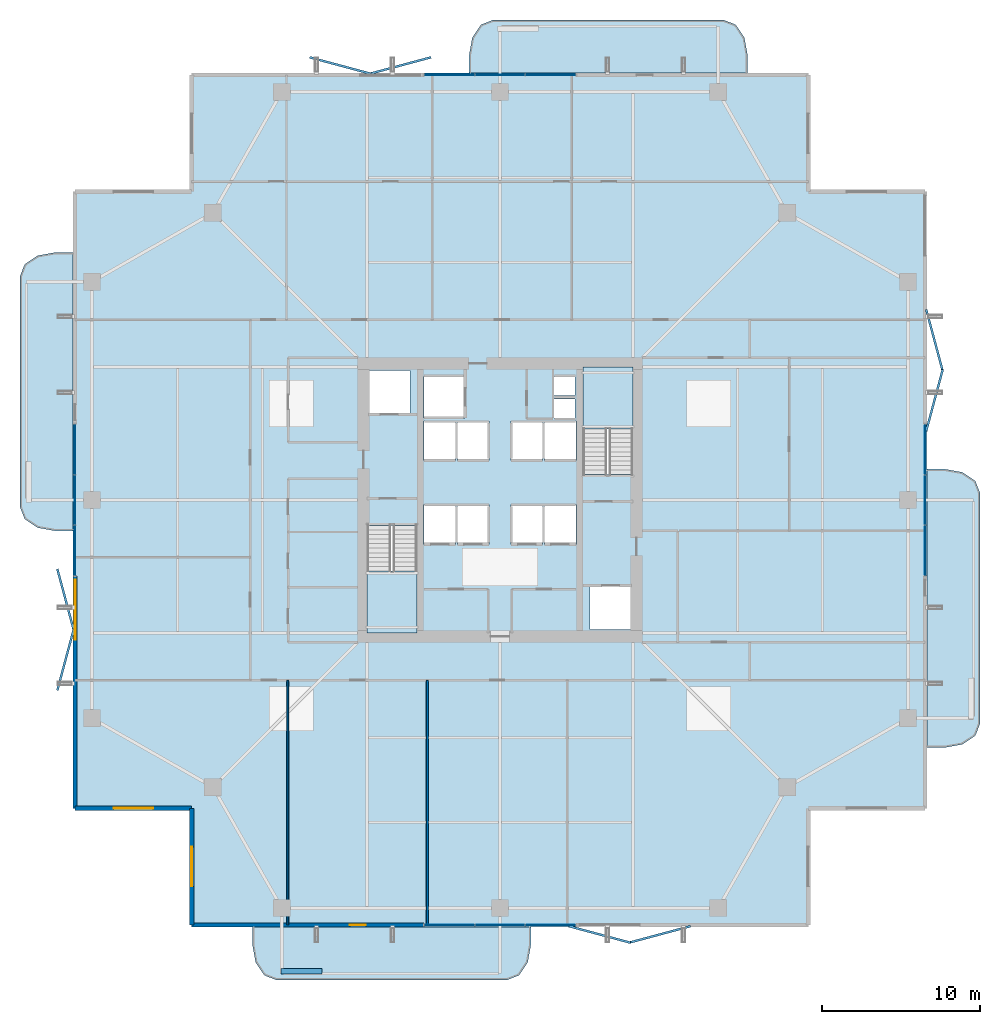
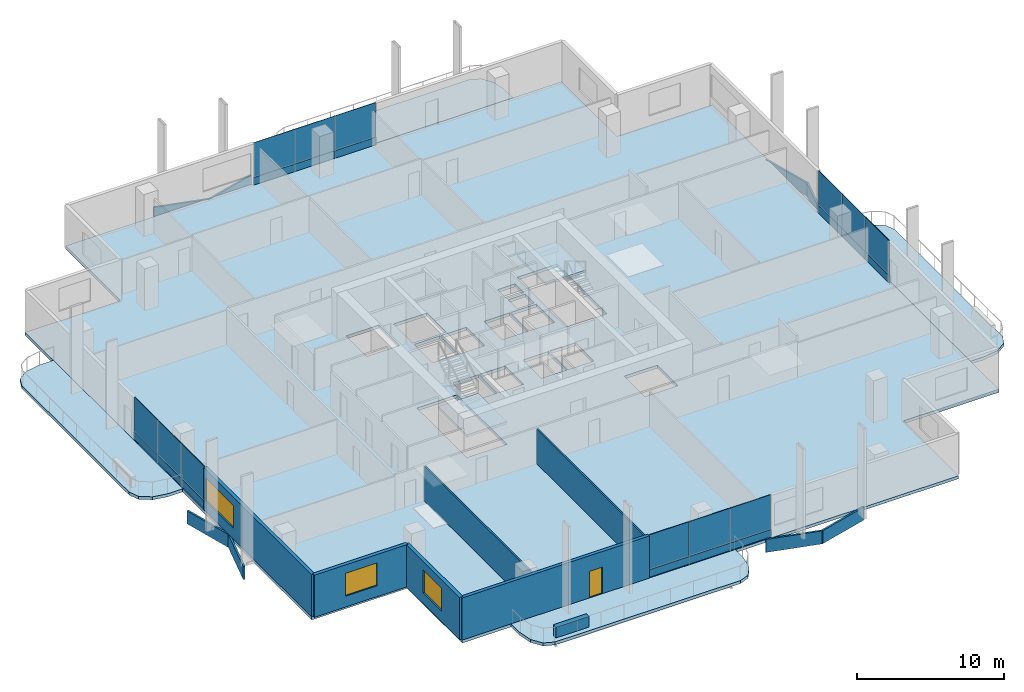
# One storey, part 16 of 24: 32 plates, 7 slabs, 7 walls, 3 windows, 1 door, 4 openings, 6 elements without a shape of their own.
"""IFC4 building model written with IfcOpenShell, lengths in metres."""

from ifc_helpers import new_model, si_unit, direction, frame, frame_2d, origin, origin_2d, place, context, subcontext, project, spatial, polyline, rectangle, outline, extrude, material, layer, layer_set, type_object, element, fill, aggregate, save


model = new_model("IFC4")

# Units and contexts
model_context = context("Model", 3, precision=1e-05, world=origin(), true_north=direction((0.0, 1.0)))
body_context = subcontext(model_context, "Body", "Model", "MODEL_VIEW")
ifc_project = project(units=[si_unit("LENGTHUNIT", "METRE"), si_unit("AREAUNIT", "SQUARE_METRE"), si_unit("VOLUMEUNIT", "CUBIC_METRE"), si_unit("PLANEANGLEUNIT", "RADIAN"), si_unit("MASSUNIT", "GRAM", prefix="KILO")], contexts=[model_context])

# Site, building, storey
site_placement = place(None, origin())
site = spatial("IfcSite", under=ifc_project, at=site_placement, CompositionType="ELEMENT")
building_placement = place(site_placement, origin())
building = spatial("IfcBuilding", under=site, at=building_placement, Name="Belovzor Exchange Tower", CompositionType="ELEMENT")
storey_placement = place(building_placement, frame((0.0, 0.0, 218.699951171875)))
storey = spatial("IfcBuildingStorey", under=building, at=storey_placement, Name="L54", CompositionType="ELEMENT", Elevation=218.699951171875)

# Slab
ifc_material_1 = material(Name="Concrete C40/50", Category="concrete")
ifc_layer_1 = layer(ifc_material_1, 0.25)
ifc_layer_set_1 = layer_set([ifc_layer_1], Name="Concrete C40/50")
slab_type_1 = type_object("IfcSlabType", Name="Composite Concrete Floor Deck Slab 250", PredefinedType="FLOOR", material=ifc_layer_set_1)
slab_1_placement = place(storey_placement, frame((0.0, 0.0, -0.25)))
element("IfcSlab", 1, at=slab_1_placement, inside=storey, type_object=slab_type_1, Name="SL-F250 Structural Slab L54", PredefinedType="FLOOR", context=body_context, shape_type="SweptSolid", body=[
    extrude(outline(polyline([(9.300048828125, 1.800048828125), (48.300048828125, 1.800048828125), (48.300048828125, 9.300048828125), (55.800048828125, 9.300048828125), (55.800048828125, 48.300048828125), (48.300048828125, 48.300048828125), (48.300048828125, 55.800048828125), (9.300048828125, 55.800048828125), (9.300048828125, 48.300048828125), (1.800048828125, 48.300048828125), (1.800048828125, 9.300048828125), (9.300048828125, 9.300048828125), (9.300048828125, 1.800048828125)]), holes=[polyline([(20.39990234375, 27.175048828125), (20.39990234375, 20.39990234375), (23.550048828125, 20.39990234375), (23.550048828125, 27.175048828125), (20.39990234375, 27.175048828125)]), polyline([(37.199951171875, 30.425048828125), (37.199951171875, 37.199951171875), (34.050048828125, 37.199951171875), (34.050048828125, 30.425048828125), (37.199951171875, 30.425048828125)]), polyline([(20.5, 34.199951171875), (23.10009765625, 34.199951171875), (23.10009765625, 37.0), (20.5, 37.0), (20.5, 34.199951171875)]), polyline([(34.5, 20.60009765625), (37.10009765625, 20.60009765625), (37.10009765625, 23.39990234375), (34.5, 23.39990234375), (34.5, 20.60009765625)]), polyline([(24.0, 34.0), (26.60009765625, 34.0), (26.60009765625, 36.60009765625), (24.0, 36.60009765625), (24.0, 34.0)]), polyline([(24.0, 26.0), (26.0, 26.0), (26.0, 28.5), (24.0, 28.5), (24.0, 26.0)]), polyline([(26.10009765625, 26.0), (28.10009765625, 26.0), (28.10009765625, 28.5), (26.10009765625, 28.5), (26.10009765625, 26.0)]), polyline([(29.5, 26.0), (31.5, 26.0), (31.5, 28.5), (29.5, 28.5), (29.5, 26.0)]), polyline([(31.60009765625, 26.0), (33.60009765625, 26.0), (33.60009765625, 28.5), (31.60009765625, 28.5), (31.60009765625, 26.0)]), polyline([(24.0, 31.300048828125), (26.0, 31.300048828125), (26.0, 33.800048828125), (24.0, 33.800048828125), (24.0, 31.300048828125)]), polyline([(26.10009765625, 31.300048828125), (28.10009765625, 31.300048828125), (28.10009765625, 33.800048828125), (26.10009765625, 33.800048828125), (26.10009765625, 31.300048828125)]), polyline([(29.5, 31.300048828125), (31.5, 31.300048828125), (31.5, 33.800048828125), (29.5, 33.800048828125), (29.5, 31.300048828125)]), polyline([(31.60009765625, 31.300048828125), (33.60009765625, 31.300048828125), (33.60009765625, 33.800048828125), (31.60009765625, 33.800048828125), (31.60009765625, 31.300048828125)]), polyline([(32.199951171875, 34.0), (33.550048828125, 34.0), (33.550048828125, 35.199951171875), (32.199951171875, 35.199951171875), (32.199951171875, 34.0)]), polyline([(32.199951171875, 35.39990234375), (33.550048828125, 35.39990234375), (33.550048828125, 36.60009765625), (32.199951171875, 36.60009765625), (32.199951171875, 35.39990234375)])]), origin(), (0.0, 0.0, 1.0), 0.25),
])

# Curtain wall, plates
ifc_material_2 = material(Name="Anodised Aluminium Framing", Category="aluminium")
ifc_layer_2 = layer(ifc_material_2, 0.179931640625)
ifc_layer_set_2 = layer_set([ifc_layer_2], Name="Anodised Aluminium Framing")
curtain_wall_type = type_object("IfcCurtainWallType", Name="Recessed Loggia Low-Iron Triple-Glazed Curtain Wall", PredefinedType="NOTDEFINED", material=ifc_layer_set_2)
curtain_wall_1_placement = place(storey_placement, origin())
curtain_wall_1 = element("IfcCurtainWall", 2, at=curtain_wall_1_placement, inside=storey, type_object=curtain_wall_type, Name="CW3 Recessed Loggia Low-Iron Triple-Glazed Curtain Wall L54", PredefinedType="NOTDEFINED")
ifc_material_3 = material(Name="Solar-Control Triple Glazing", Category="glass")
ifc_layer_3 = layer(ifc_material_3, 0.0439453125)
ifc_layer_set_3 = layer_set([ifc_layer_3], Name="Solar-Control Triple Glazing")
plate_type_1 = type_object("IfcPlateType", Name="Insulated Solar Glazing Curtain Panel 44", PredefinedType="CURTAIN_PANEL", material=ifc_layer_set_3)
plate_1_placement = place(storey_placement, frame((32.0, 1.929931640625, 0.63232421875), z_axis=(0.0, 0.0, 1.0), x_axis=(-1.0, 0.0, 0.0)))
plate_1 = element("IfcPlate", 3, at=plate_1_placement, type_object=plate_type_1, Name="GLZ-44 Glazed Curtain Panel 1", PredefinedType="CURTAIN_PANEL", context=body_context, shape_type="SweptSolid", body=[
    extrude(rectangle(XDim=3.18408203125, YDim=0.0439453125, at=origin_2d()), origin(), (0.0, 0.0, 1.0), 2.867919921875),
])
plate_2_placement = place(storey_placement, frame((28.800048828125, 1.929931640625, 0.63232421875), z_axis=(0.0, 0.0, 1.0), x_axis=(-1.0, 0.0, 0.0)))
plate_2 = element("IfcPlate", 4, at=plate_2_placement, type_object=plate_type_1, Name="GLZ-44 Glazed Curtain Panel 2", PredefinedType="CURTAIN_PANEL", context=body_context, shape_type="SweptSolid", body=[
    extrude(rectangle(XDim=3.18408203125, YDim=0.0439453125, at=origin_2d()), origin(), (0.0, 0.0, 1.0), 2.867919921875),
])
plate_3_placement = place(storey_placement, frame((25.60009765625, 1.929931640625, 0.63232421875), z_axis=(0.0, 0.0, 1.0), x_axis=(-1.0, 0.0, 0.0)))
plate_3 = element("IfcPlate", 5, at=plate_3_placement, type_object=plate_type_1, Name="GLZ-44 Glazed Curtain Panel 3", PredefinedType="CURTAIN_PANEL", context=body_context, shape_type="SweptSolid", body=[
    extrude(rectangle(XDim=3.18408203125, YDim=0.0439453125, at=origin_2d()), origin(), (0.0, 0.0, 1.0), 2.867919921875),
])

curtain_wall_2_placement = place(storey_placement, origin())
curtain_wall_2 = element("IfcCurtainWall", 6, at=curtain_wall_2_placement, inside=storey, type_object=curtain_wall_type, Name="CW3 Recessed Loggia Low-Iron Triple-Glazed Curtain Wall L54", PredefinedType="NOTDEFINED")
plate_4_placement = place(storey_placement, frame((25.60009765625, 55.669921875, 0.63232421875), z_axis=(0.0, 0.0, 1.0), x_axis=(1.0, 0.0, 0.0)))
plate_4 = element("IfcPlate", 7, at=plate_4_placement, type_object=plate_type_1, Name="GLZ-44 Glazed Curtain Panel 1", PredefinedType="CURTAIN_PANEL", context=body_context, shape_type="SweptSolid", body=[
    extrude(rectangle(XDim=3.18408203125, YDim=0.0439453125, at=origin_2d()), origin(), (0.0, 0.0, 1.0), 2.867919921875),
])
plate_5_placement = place(storey_placement, frame((28.800048828125, 55.669921875, 0.63232421875), z_axis=(0.0, 0.0, 1.0), x_axis=(1.0, 0.0, 0.0)))
plate_5 = element("IfcPlate", 8, at=plate_5_placement, type_object=plate_type_1, Name="GLZ-44 Glazed Curtain Panel 2", PredefinedType="CURTAIN_PANEL", context=body_context, shape_type="SweptSolid", body=[
    extrude(rectangle(XDim=3.18408203125, YDim=0.0439453125, at=origin_2d()), origin(), (0.0, 0.0, 1.0), 2.867919921875),
])
plate_6_placement = place(storey_placement, frame((32.0, 55.669921875, 0.63232421875), z_axis=(0.0, 0.0, 1.0), x_axis=(1.0, 0.0, 0.0)))
plate_6 = element("IfcPlate", 9, at=plate_6_placement, type_object=plate_type_1, Name="GLZ-44 Glazed Curtain Panel 3", PredefinedType="CURTAIN_PANEL", context=body_context, shape_type="SweptSolid", body=[
    extrude(rectangle(XDim=3.18408203125, YDim=0.0439453125, at=origin_2d()), origin(), (0.0, 0.0, 1.0), 2.867919921875),
])

curtain_wall_3_placement = place(storey_placement, origin())
curtain_wall_3 = element("IfcCurtainWall", 10, at=curtain_wall_3_placement, inside=storey, type_object=curtain_wall_type, Name="CW3 Recessed Loggia Low-Iron Triple-Glazed Curtain Wall L54", PredefinedType="NOTDEFINED")
plate_7_placement = place(storey_placement, frame((1.929931640625, 25.60009765625, 0.63232421875), z_axis=(0.0, 0.0, 1.0), x_axis=(0.0, 1.0, 0.0)))
plate_7 = element("IfcPlate", 11, at=plate_7_placement, type_object=plate_type_1, Name="GLZ-44 Glazed Curtain Panel 1", PredefinedType="CURTAIN_PANEL", context=body_context, shape_type="SweptSolid", body=[
    extrude(rectangle(XDim=3.18408203125, YDim=0.0439453125, at=origin_2d()), origin(), (0.0, 0.0, 1.0), 2.867919921875),
])
plate_8_placement = place(storey_placement, frame((1.929931640625, 28.800048828125, 0.63232421875), z_axis=(0.0, 0.0, 1.0), x_axis=(0.0, 1.0, 0.0)))
plate_8 = element("IfcPlate", 12, at=plate_8_placement, type_object=plate_type_1, Name="GLZ-44 Glazed Curtain Panel 2", PredefinedType="CURTAIN_PANEL", context=body_context, shape_type="SweptSolid", body=[
    extrude(rectangle(XDim=3.18408203125, YDim=0.0439453125, at=origin_2d()), origin(), (0.0, 0.0, 1.0), 2.867919921875),
])
plate_9_placement = place(storey_placement, frame((1.929931640625, 32.0, 0.63232421875), z_axis=(0.0, 0.0, 1.0), x_axis=(0.0, 1.0, 0.0)))
plate_9 = element("IfcPlate", 13, at=plate_9_placement, type_object=plate_type_1, Name="GLZ-44 Glazed Curtain Panel 3", PredefinedType="CURTAIN_PANEL", context=body_context, shape_type="SweptSolid", body=[
    extrude(rectangle(XDim=3.18408203125, YDim=0.0439453125, at=origin_2d()), origin(), (0.0, 0.0, 1.0), 2.867919921875),
])

curtain_wall_4_placement = place(storey_placement, origin())
curtain_wall_4 = element("IfcCurtainWall", 14, at=curtain_wall_4_placement, inside=storey, type_object=curtain_wall_type, Name="CW3 Recessed Loggia Low-Iron Triple-Glazed Curtain Wall L54", PredefinedType="NOTDEFINED")
plate_10_placement = place(storey_placement, frame((55.669921875, 32.0, 0.63232421875), z_axis=(0.0, 0.0, 1.0), x_axis=(0.0, -1.0, 0.0)))
plate_10 = element("IfcPlate", 15, at=plate_10_placement, type_object=plate_type_1, Name="GLZ-44 Glazed Curtain Panel 1", PredefinedType="CURTAIN_PANEL", context=body_context, shape_type="SweptSolid", body=[
    extrude(rectangle(XDim=3.18408203125, YDim=0.0439453125, at=origin_2d()), origin(), (0.0, 0.0, 1.0), 2.867919921875),
])
plate_11_placement = place(storey_placement, frame((55.669921875, 28.800048828125, 0.63232421875), z_axis=(0.0, 0.0, 1.0), x_axis=(0.0, -1.0, 0.0)))
plate_11 = element("IfcPlate", 16, at=plate_11_placement, type_object=plate_type_1, Name="GLZ-44 Glazed Curtain Panel 2", PredefinedType="CURTAIN_PANEL", context=body_context, shape_type="SweptSolid", body=[
    extrude(rectangle(XDim=3.18408203125, YDim=0.0439453125, at=origin_2d()), origin(), (0.0, 0.0, 1.0), 2.867919921875),
])
plate_12_placement = place(storey_placement, frame((55.669921875, 25.60009765625, 0.63232421875), z_axis=(0.0, 0.0, 1.0), x_axis=(0.0, -1.0, 0.0)))
plate_12 = element("IfcPlate", 17, at=plate_12_placement, type_object=plate_type_1, Name="GLZ-44 Glazed Curtain Panel 3", PredefinedType="CURTAIN_PANEL", context=body_context, shape_type="SweptSolid", body=[
    extrude(rectangle(XDim=3.18408203125, YDim=0.0439453125, at=origin_2d()), origin(), (0.0, 0.0, 1.0), 2.867919921875),
])

# Plates
ifc_material_4 = material(Name="Extruded Architectural Terracotta", Category="masonry")
ifc_layer_4 = layer(ifc_material_4, 0.139892578125)
ifc_layer_set_4 = layer_set([ifc_layer_4], Name="Extruded Architectural Terracotta")
plate_type_2 = type_object("IfcPlateType", Name="Mid-Tower Folded Zigzag Terracotta Spandrel Louvre 120", PredefinedType="USERDEFINED", material=ifc_layer_set_4)
for number, where, z_axis, x_axis, name in (
    (18, (18.699951171875, 56.27001953125, -1.06494140625), (0.0, 0.0, 1.0), (0.965812803231, -0.259240485101, 0.0), "LVR-ZZ2 Zigzag Terracotta Spandrel Louvre L54 N1A"),
    (19, (22.5, 56.27001953125, -1.06494140625), (0.0, 0.0, 1.0), (0.965812803231, 0.259240485101, 0.0), "LVR-ZZ2 Zigzag Terracotta Spandrel Louvre L54 N1B"),
    (20, (1.330078125, 18.699951171875, -1.06494140625), (0.0, 0.0, 1.0), (0.259240485101, 0.965812803231, 0.0), "LVR-ZZ2 Zigzag Terracotta Spandrel Louvre L54 W1A"),
    (21, (1.330078125, 22.5, -1.06494140625), (0.0, 0.0, 1.0), (-0.259240485101, 0.965812803231, 0.0), "LVR-ZZ2 Zigzag Terracotta Spandrel Louvre L54 W1B"),
    (22, (35.10009765625, 1.330078125, -1.06494140625), (0.0, 0.0, 1.0), (0.965812803231, -0.259240485101, 0.0), "LVR-ZZ2 Zigzag Terracotta Spandrel Louvre L54 S2A"),
    (23, (38.89990234375, 1.330078125, -1.06494140625), (0.0, 0.0, 1.0), (0.965812803231, 0.259240485101, 0.0), "LVR-ZZ2 Zigzag Terracotta Spandrel Louvre L54 S2B"),
    (24, (56.27001953125, 35.10009765625, -1.06494140625), (0.0, 0.0, 1.0), (0.259240485101, 0.965812803231, 0.0), "LVR-ZZ2 Zigzag Terracotta Spandrel Louvre L54 E2A"),
    (25, (56.27001953125, 38.89990234375, -1.06494140625), (0.0, 0.0, 1.0), (-0.259240485101, 0.965812803231, 0.0), "LVR-ZZ2 Zigzag Terracotta Spandrel Louvre L54 E2B"),
):
    element("IfcPlate", number, at=place(storey_placement, frame(where, z_axis=z_axis, x_axis=x_axis)), inside=storey, type_object=plate_type_2, Name=name, ObjectType="SPANDREL_LOUVRE", PredefinedType="USERDEFINED", context=body_context, shape_type="SweptSolid", body=[
        extrude(rectangle(XDim=4.014892578125, YDim=0.139892578125, at=origin_2d()), origin(), (0.0, 0.0, 1.0), 1.080078125),
    ])

# Stair, slab
ifc_material_5 = material(Name="Concrete C40/50", Category="concrete")
stair_type = type_object("IfcStairType", Name="Reinforced Concrete Dogleg Escape Stair 1350", PredefinedType="HALF_TURN_STAIR", material=ifc_material_5)
stair_1_placement = place(storey_placement, origin())
stair_1 = element("IfcStair", 26, at=stair_1_placement, inside=storey, type_object=stair_type, Name="L54 ST-1", PredefinedType="HALF_TURN_STAIR")
ifc_material_6 = material(Name="Concrete C40/50", Category="concrete")
ifc_layer_5 = layer(ifc_material_6, 0.199951171875)
ifc_layer_set_5 = layer_set([ifc_layer_5], Name="Concrete C40/50")
slab_type_2 = type_object("IfcSlabType", Name="Reinforced Concrete Stair Half-Landing Slab 200", PredefinedType="LANDING", material=ifc_layer_set_5)
slab_2_placement = place(storey_placement, frame((0.0, 0.0, 1.675048828125)))
slab_2 = element("IfcSlab", 27, at=slab_2_placement, type_object=slab_type_2, Name="ST-1 landing 1", PredefinedType="LANDING", context=body_context, shape_type="SweptSolid", body=[
    extrude(outline(polyline([(20.39990234375, 24.300048828125), (20.39990234375, 20.39990234375), (23.550048828125, 20.39990234375), (23.550048828125, 24.300048828125), (20.39990234375, 24.300048828125)])), origin(), (0.0, 0.0, 1.0), 0.199951171875),
])
aggregate(stair_1, [slab_2])

stair_2_placement = place(storey_placement, origin())
stair_2 = element("IfcStair", 28, at=stair_2_placement, inside=storey, type_object=stair_type, Name="L54 ST-2", PredefinedType="HALF_TURN_STAIR")
slab_3_placement = place(storey_placement, frame((0.0, 0.0, 1.675048828125)))
slab_3 = element("IfcSlab", 29, at=slab_3_placement, type_object=slab_type_2, Name="ST-2 landing 1", PredefinedType="LANDING", context=body_context, shape_type="SweptSolid", body=[
    extrude(outline(polyline([(37.199951171875, 33.300048828125), (37.199951171875, 37.199951171875), (34.050048828125, 37.199951171875), (34.050048828125, 33.300048828125), (37.199951171875, 33.300048828125)])), origin(), (0.0, 0.0, 1.0), 0.199951171875),
])
aggregate(stair_2, [slab_3])

# Plate
ifc_material_7 = material(Name="Extruded Architectural Terracotta", Category="masonry")
ifc_layer_6 = layer(ifc_material_7, 0.090087890625)
ifc_layer_set_6 = layer_set([ifc_layer_6], Name="Extruded Architectural Terracotta")
plate_type_3 = type_object("IfcPlateType", Name="Terracotta Shadow-Box Spandrel Panel 90", PredefinedType="CURTAIN_PANEL", material=ifc_layer_set_6)
plate_13_placement = place(storey_placement, frame((32.0, 1.929931640625, 0.0), z_axis=(0.0, 0.0, 1.0), x_axis=(-1.0, 0.0, 0.0)))
plate_13 = element("IfcPlate", 30, at=plate_13_placement, type_object=plate_type_3, Name="SPD-90 Spandrel Panel 1", PredefinedType="CURTAIN_PANEL", context=body_context, shape_type="SweptSolid", body=[
    extrude(rectangle(XDim=3.18408203125, YDim=0.090087890625, at=origin_2d()), origin(), (0.0, 0.0, 1.0), 0.6279296875),
])

plate_14_placement = place(storey_placement, frame((28.800048828125, 1.929931640625, 0.0), z_axis=(0.0, 0.0, 1.0), x_axis=(-1.0, 0.0, 0.0)))
plate_14 = element("IfcPlate", 31, at=plate_14_placement, type_object=plate_type_3, Name="SPD-90 Spandrel Panel 2", PredefinedType="CURTAIN_PANEL", context=body_context, shape_type="SweptSolid", body=[
    extrude(rectangle(XDim=3.18408203125, YDim=0.090087890625, at=origin_2d()), origin(), (0.0, 0.0, 1.0), 0.6279296875),
])

plate_15_placement = place(storey_placement, frame((25.60009765625, 1.929931640625, 0.0), z_axis=(0.0, 0.0, 1.0), x_axis=(-1.0, 0.0, 0.0)))
plate_15 = element("IfcPlate", 32, at=plate_15_placement, type_object=plate_type_3, Name="SPD-90 Spandrel Panel 3", PredefinedType="CURTAIN_PANEL", context=body_context, shape_type="SweptSolid", body=[
    extrude(rectangle(XDim=3.18408203125, YDim=0.090087890625, at=origin_2d()), origin(), (0.0, 0.0, 1.0), 0.6279296875),
])

aggregate(curtain_wall_1, [plate_13, plate_1, plate_14, plate_2, plate_15, plate_3])

plate_16_placement = place(storey_placement, frame((25.60009765625, 55.669921875, 0.0), z_axis=(0.0, 0.0, 1.0), x_axis=(1.0, 0.0, 0.0)))
plate_16 = element("IfcPlate", 33, at=plate_16_placement, type_object=plate_type_3, Name="SPD-90 Spandrel Panel 1", PredefinedType="CURTAIN_PANEL", context=body_context, shape_type="SweptSolid", body=[
    extrude(rectangle(XDim=3.18408203125, YDim=0.090087890625, at=origin_2d()), origin(), (0.0, 0.0, 1.0), 0.6279296875),
])

plate_17_placement = place(storey_placement, frame((28.800048828125, 55.669921875, 0.0), z_axis=(0.0, 0.0, 1.0), x_axis=(1.0, 0.0, 0.0)))
plate_17 = element("IfcPlate", 34, at=plate_17_placement, type_object=plate_type_3, Name="SPD-90 Spandrel Panel 2", PredefinedType="CURTAIN_PANEL", context=body_context, shape_type="SweptSolid", body=[
    extrude(rectangle(XDim=3.18408203125, YDim=0.090087890625, at=origin_2d()), origin(), (0.0, 0.0, 1.0), 0.6279296875),
])

plate_18_placement = place(storey_placement, frame((32.0, 55.669921875, 0.0), z_axis=(0.0, 0.0, 1.0), x_axis=(1.0, 0.0, 0.0)))
plate_18 = element("IfcPlate", 35, at=plate_18_placement, type_object=plate_type_3, Name="SPD-90 Spandrel Panel 3", PredefinedType="CURTAIN_PANEL", context=body_context, shape_type="SweptSolid", body=[
    extrude(rectangle(XDim=3.18408203125, YDim=0.090087890625, at=origin_2d()), origin(), (0.0, 0.0, 1.0), 0.6279296875),
])

aggregate(curtain_wall_2, [plate_16, plate_4, plate_17, plate_5, plate_18, plate_6])

plate_19_placement = place(storey_placement, frame((1.929931640625, 25.60009765625, 0.0), z_axis=(0.0, 0.0, 1.0), x_axis=(0.0, 1.0, 0.0)))
plate_19 = element("IfcPlate", 36, at=plate_19_placement, type_object=plate_type_3, Name="SPD-90 Spandrel Panel 1", PredefinedType="CURTAIN_PANEL", context=body_context, shape_type="SweptSolid", body=[
    extrude(rectangle(XDim=3.18408203125, YDim=0.090087890625, at=origin_2d()), origin(), (0.0, 0.0, 1.0), 0.6279296875),
])

plate_20_placement = place(storey_placement, frame((1.929931640625, 28.800048828125, 0.0), z_axis=(0.0, 0.0, 1.0), x_axis=(0.0, 1.0, 0.0)))
plate_20 = element("IfcPlate", 37, at=plate_20_placement, type_object=plate_type_3, Name="SPD-90 Spandrel Panel 2", PredefinedType="CURTAIN_PANEL", context=body_context, shape_type="SweptSolid", body=[
    extrude(rectangle(XDim=3.18408203125, YDim=0.090087890625, at=origin_2d()), origin(), (0.0, 0.0, 1.0), 0.6279296875),
])

plate_21_placement = place(storey_placement, frame((1.929931640625, 32.0, 0.0), z_axis=(0.0, 0.0, 1.0), x_axis=(0.0, 1.0, 0.0)))
plate_21 = element("IfcPlate", 38, at=plate_21_placement, type_object=plate_type_3, Name="SPD-90 Spandrel Panel 3", PredefinedType="CURTAIN_PANEL", context=body_context, shape_type="SweptSolid", body=[
    extrude(rectangle(XDim=3.18408203125, YDim=0.090087890625, at=origin_2d()), origin(), (0.0, 0.0, 1.0), 0.6279296875),
])

aggregate(curtain_wall_3, [plate_19, plate_7, plate_20, plate_8, plate_21, plate_9])

plate_22_placement = place(storey_placement, frame((55.669921875, 32.0, 0.0), z_axis=(0.0, 0.0, 1.0), x_axis=(0.0, -1.0, 0.0)))
plate_22 = element("IfcPlate", 39, at=plate_22_placement, type_object=plate_type_3, Name="SPD-90 Spandrel Panel 1", PredefinedType="CURTAIN_PANEL", context=body_context, shape_type="SweptSolid", body=[
    extrude(rectangle(XDim=3.18408203125, YDim=0.090087890625, at=origin_2d()), origin(), (0.0, 0.0, 1.0), 0.6279296875),
])

plate_23_placement = place(storey_placement, frame((55.669921875, 28.800048828125, 0.0), z_axis=(0.0, 0.0, 1.0), x_axis=(0.0, -1.0, 0.0)))
plate_23 = element("IfcPlate", 40, at=plate_23_placement, type_object=plate_type_3, Name="SPD-90 Spandrel Panel 2", PredefinedType="CURTAIN_PANEL", context=body_context, shape_type="SweptSolid", body=[
    extrude(rectangle(XDim=3.18408203125, YDim=0.090087890625, at=origin_2d()), origin(), (0.0, 0.0, 1.0), 0.6279296875),
])

plate_24_placement = place(storey_placement, frame((55.669921875, 25.60009765625, 0.0), z_axis=(0.0, 0.0, 1.0), x_axis=(0.0, -1.0, 0.0)))
plate_24 = element("IfcPlate", 41, at=plate_24_placement, type_object=plate_type_3, Name="SPD-90 Spandrel Panel 3", PredefinedType="CURTAIN_PANEL", context=body_context, shape_type="SweptSolid", body=[
    extrude(rectangle(XDim=3.18408203125, YDim=0.090087890625, at=origin_2d()), origin(), (0.0, 0.0, 1.0), 0.6279296875),
])

aggregate(curtain_wall_4, [plate_22, plate_10, plate_23, plate_11, plate_24, plate_12])

# Slabs
ifc_material_8 = material(Name="Concrete C40/50", Category="concrete")
ifc_layer_7 = layer(ifc_material_8, 0.25)
ifc_layer_set_7 = layer_set([ifc_layer_7], Name="Concrete C40/50")
slab_type_3 = type_object("IfcSlabType", Name="Thermally Broken Planted Balcony Slab 250", PredefinedType="FLOOR", material=ifc_layer_set_7)
slab_4_placement = place(storey_placement, frame((0.0, 0.0, -0.25)))
element("IfcSlab", 42, at=slab_4_placement, inside=storey, type_object=slab_type_3, Name="SL-BAL220 Planted Balcony Loggia L54 South", PredefinedType="FLOOR", context=body_context, shape_type="SweptSolid", body=[
    extrude(outline(polyline([(13.14990234375, 1.81494140625), (13.14990234375, 0.64990234375), (13.35107421875, -0.449951171875), (13.89990234375, -1.2548828125), (14.64990234375, -1.550048828125), (29.25, -1.550048828125), (30.0, -1.2548828125), (30.549072265625, -0.449951171875), (30.75, 0.64990234375), (30.75, 1.81494140625), (13.14990234375, 1.81494140625)])), origin(), (0.0, 0.0, 1.0), 0.25),
])
slab_5_placement = place(storey_placement, frame((0.0, 0.0, -0.25)))
element("IfcSlab", 43, at=slab_5_placement, inside=storey, type_object=slab_type_3, Name="SL-BAL220 Planted Balcony Loggia L54 North", PredefinedType="FLOOR", context=body_context, shape_type="SweptSolid", body=[
    extrude(outline(polyline([(44.449951171875, 55.784912109375), (44.449951171875, 56.949951171875), (44.2490234375, 58.050048828125), (43.699951171875, 58.85498046875), (42.949951171875, 59.14990234375), (28.35009765625, 59.14990234375), (27.60009765625, 58.85498046875), (27.051025390625, 58.050048828125), (26.85009765625, 56.949951171875), (26.85009765625, 55.784912109375), (44.449951171875, 55.784912109375)])), origin(), (0.0, 0.0, 1.0), 0.25),
])
slab_6_placement = place(storey_placement, frame((0.0, 0.0, -0.25)))
element("IfcSlab", 44, at=slab_6_placement, inside=storey, type_object=slab_type_3, Name="SL-BAL220 Planted Balcony Loggia L54 East", PredefinedType="FLOOR", context=body_context, shape_type="SweptSolid", body=[
    extrude(outline(polyline([(55.784912109375, 13.14990234375), (56.949951171875, 13.14990234375), (58.050048828125, 13.35107421875), (58.85498046875, 13.89990234375), (59.14990234375, 14.64990234375), (59.14990234375, 29.25), (58.85498046875, 30.0), (58.050048828125, 30.549072265625), (56.949951171875, 30.75), (55.784912109375, 30.75), (55.784912109375, 13.14990234375)])), origin(), (0.0, 0.0, 1.0), 0.25),
])
slab_7_placement = place(storey_placement, frame((0.0, 0.0, -0.25)))
element("IfcSlab", 45, at=slab_7_placement, inside=storey, type_object=slab_type_3, Name="SL-BAL220 Planted Balcony Loggia L54 West", PredefinedType="FLOOR", context=body_context, shape_type="SweptSolid", body=[
    extrude(outline(polyline([(1.81494140625, 44.449951171875), (0.64990234375, 44.449951171875), (-0.449951171875, 44.2490234375), (-1.2548828125, 43.699951171875), (-1.550048828125, 42.949951171875), (-1.550048828125, 28.35009765625), (-1.2548828125, 27.60009765625), (-0.449951171875, 27.051025390625), (0.64990234375, 26.85009765625), (1.81494140625, 26.85009765625), (1.81494140625, 44.449951171875)])), origin(), (0.0, 0.0, 1.0), 0.25),
])

# Walls
ifc_material_9 = material(Name="Acoustic Plasterboard on Galvanised Studs", Category="gypsum")
ifc_layer_8 = layer(ifc_material_9, 0.1201171875)
ifc_layer_set_8 = layer_set([ifc_layer_8], Name="Acoustic Plasterboard on Galvanised Studs")
wall_type_1 = type_object("IfcWallType", Name="Acoustic Double-Stud Partition Wall 120", PredefinedType="PARTITIONING", material=ifc_layer_set_8)
for number, where, z_axis, x_axis, name in (
    (46, (15.3779296875, 1.929931640625, 0.0), (0.0, 0.0, 1.0), (0.0, 1.0, 0.0), "W-P120 Partition Wall W-L54-SDIV-1"),
    (47, (24.208984375, 1.929931640625, 0.0), (0.0, 0.0, 1.0), (0.0, 1.0, 0.0), "W-P120 Partition Wall W-L54-SDIV-2"),
):
    element("IfcWall", number, at=place(storey_placement, frame(where, z_axis=z_axis, x_axis=x_axis)), inside=storey, type_object=wall_type_1, Name=name, PredefinedType="PARTITIONING", context=body_context, shape_type="SweptSolid", body=[
        extrude(rectangle(XDim=15.469970703125, YDim=0.1201171875, at=frame_2d((7.73486328125, 0.0))), origin(), (0.0, 0.0, 1.0), 2.885009765625),
    ])

# Wall, opening, window
ifc_material_10 = material(Name="Precast concrete C40/50", Category="concrete")
ifc_layer_9 = layer(ifc_material_10, 0.280029296875)
ifc_layer_set_9 = layer_set([ifc_layer_9], Name="Precast concrete C40/50")
wall_type_2 = type_object("IfcWallType", Name="Precast Concrete Notched Corner Frame Wall 280", PredefinedType="SOLIDWALL", material=ifc_layer_set_9)
wall_1_placement = place(storey_placement, frame((9.300048828125, 1.929931640625, 0.0), z_axis=(0.0, 0.0, 1.0), x_axis=(0.0, 1.0, 0.0)))
wall_1 = element("IfcWall", 48, at=wall_1_placement, inside=storey, type_object=wall_type_2, Name="W-CRN280 Precast Concrete Notched Corner Frame Wall 280 L54", PredefinedType="SOLIDWALL", context=body_context, shape_type="SweptSolid", body=[
    extrude(rectangle(XDim=7.3701171875, YDim=0.280029296875, at=frame_2d((3.68505859375, 0.0))), origin(), (0.0, 0.0, 1.0), 3.5),
])
opening_1_placement = place(wall_1_placement, frame((2.43505859375, 0.0, 0.89990234375)))
opening_1 = element("IfcOpeningElement", 49, at=opening_1_placement, cuts=wall_1, Name="Opening WN-CRN250", PredefinedType="OPENING", context=body_context, shape_type="SweptSolid", body=[
    extrude(rectangle(XDim=2.5, YDim=1.89990234375, at=frame_2d((1.25, 0.949951171875))), frame((0.0, 0.14990234375, 0.0), z_axis=(0.0, -1.0, 0.0), x_axis=(1.0, 0.0, 0.0)), (0.0, 0.0, 1.0), 0.300048828125),
])
ifc_material_11 = material(Name="Thermally Broken Aluminium and Triple Glazing", Category="aluminium")
window_type_1 = type_object("IfcWindowType", Name="Streamline Moderne Corner Wrap Ribbon Window 2500x1900", PartitioningType="SINGLE_PANEL", PredefinedType="WINDOW", material=ifc_material_11)
window_1_placement = place(opening_1_placement, origin())
window_1 = element("IfcWindow", 50, at=window_1_placement, inside=storey, type_object=window_type_1, Name="WN-CRN250 Streamline Moderne Corner Wrap Ribbon Window 2500x1900", OverallHeight=1.89990234375, OverallWidth=2.5, PartitioningType="SINGLE_PANEL", PredefinedType="WINDOW", context=body_context, shape_type="SweptSolid", body=[
    extrude(rectangle(XDim=2.5, YDim=1.89990234375, at=frame_2d((1.25, 0.949951171875))), frame((0.0, 0.030029296875, 0.0), z_axis=(0.0, -1.0, 0.0), x_axis=(1.0, 0.0, 0.0)), (0.0, 0.0, 1.0), 0.06005859375),
])
fill(opening_1, window_1)

wall_2_placement = place(storey_placement, frame((9.300048828125, 9.300048828125, 0.0), z_axis=(0.0, 0.0, 1.0), x_axis=(-1.0, 0.0, 0.0)))
wall_2 = element("IfcWall", 51, at=wall_2_placement, inside=storey, type_object=wall_type_2, Name="W-CRN280 Precast Concrete Notched Corner Frame Wall 280 L54", PredefinedType="SOLIDWALL", context=body_context, shape_type="SweptSolid", body=[
    extrude(rectangle(XDim=7.3701171875, YDim=0.280029296875, at=frame_2d((3.68505859375, 0.0))), origin(), (0.0, 0.0, 1.0), 3.5),
])
opening_2_placement = place(wall_2_placement, frame((2.43505859375, 0.0, 0.89990234375)))
opening_2 = element("IfcOpeningElement", 52, at=opening_2_placement, cuts=wall_2, Name="Opening WN-CRN250", PredefinedType="OPENING", context=body_context, shape_type="SweptSolid", body=[
    extrude(rectangle(XDim=2.5, YDim=1.89990234375, at=frame_2d((1.25, 0.949951171875))), frame((0.0, 0.14990234375, 0.0), z_axis=(0.0, -1.0, 0.0), x_axis=(1.0, 0.0, 0.0)), (0.0, 0.0, 1.0), 0.300048828125),
])
window_2_placement = place(opening_2_placement, origin())
window_2 = element("IfcWindow", 53, at=window_2_placement, inside=storey, type_object=window_type_1, Name="WN-CRN250 Streamline Moderne Corner Wrap Ribbon Window 2500x1900", OverallHeight=1.89990234375, OverallWidth=2.5, PartitioningType="SINGLE_PANEL", PredefinedType="WINDOW", context=body_context, shape_type="SweptSolid", body=[
    extrude(rectangle(XDim=2.5, YDim=1.89990234375, at=frame_2d((1.25, 0.949951171875))), frame((0.0, 0.030029296875, 0.0), z_axis=(0.0, -1.0, 0.0), x_axis=(1.0, 0.0, 0.0)), (0.0, 0.0, 1.0), 0.06005859375),
])
fill(opening_2, window_2)

# Wall, opening, door
ifc_material_12 = material(Name="Precast concrete C40/50", Category="concrete")
ifc_layer_10 = layer(ifc_material_12, 0.260009765625)
ifc_layer_set_10 = layer_set([ifc_layer_10], Name="Precast concrete C40/50")
wall_type_3 = type_object("IfcWallType", Name="Precast Concrete Perimeter Loggia Frame Wall 260", PredefinedType="SOLIDWALL", material=ifc_layer_set_10)
wall_3_placement = place(storey_placement, frame((24.0, 1.929931640625, 0.0), z_axis=(0.0, 0.0, 1.0), x_axis=(-1.0, 0.0, 0.0)))
wall_3 = element("IfcWall", 54, at=wall_3_placement, inside=storey, type_object=wall_type_3, Name="W-EXT260 Precast Concrete Perimeter Loggia Frame Wall 260 L54", PredefinedType="SOLIDWALL", context=body_context, shape_type="SweptSolid", body=[
    extrude(rectangle(XDim=14.699951171875, YDim=0.260009765625, at=frame_2d((7.35009765625, 0.0))), origin(), (0.0, 0.0, 1.0), 3.5),
])
opening_3_placement = place(wall_3_placement, frame((3.68603515625, 0.0, 0.0)))
opening_3 = element("IfcOpeningElement", 55, at=opening_3_placement, cuts=wall_3, Name="Opening D-BAL100", PredefinedType="OPENING", context=body_context, shape_type="SweptSolid", body=[
    extrude(rectangle(XDim=1.0, YDim=2.199951171875, at=frame_2d((0.5, 1.10009765625))), frame((0.0, 0.139892578125, 0.0), z_axis=(0.0, -1.0, 0.0), x_axis=(1.0, 0.0, 0.0)), (0.0, 0.0, 1.0), 0.280029296875),
])
ifc_material_13 = material(Name="Thermally Broken Anodised Aluminium and Laminated Glass", Category="aluminium")
door_type = type_object("IfcDoorType", Name="Planted Loggia Terrace Glazed Door 1000x2200", OperationType="SINGLE_SWING_LEFT", PredefinedType="DOOR", material=ifc_material_13)
door_placement = place(opening_3_placement, origin())
door = element("IfcDoor", 56, at=door_placement, inside=storey, type_object=door_type, Name="D-BAL100 Balcony Terrace Door L54 S", OperationType="SINGLE_SWING_LEFT", OverallHeight=2.199951171875, OverallWidth=1.0, PredefinedType="DOOR", context=body_context, shape_type="SweptSolid", body=[
    extrude(rectangle(XDim=1.0, YDim=2.199951171875, at=frame_2d((0.5, 1.10009765625))), frame((0.0, 0.02490234375, 0.0), z_axis=(0.0, -1.0, 0.0), x_axis=(1.0, 0.0, 0.0)), (0.0, 0.0, 1.0), 0.050048828125),
])
fill(opening_3, door)

# Wall, opening, window
wall_4_placement = place(storey_placement, frame((1.929931640625, 9.300048828125, 0.0), z_axis=(0.0, 0.0, 1.0), x_axis=(0.0, 1.0, 0.0)))
wall_4 = element("IfcWall", 57, at=wall_4_placement, inside=storey, type_object=wall_type_3, Name="W-EXT260 Precast Concrete Perimeter Loggia Frame Wall 260 L54", PredefinedType="SOLIDWALL", context=body_context, shape_type="SweptSolid", body=[
    extrude(rectangle(XDim=14.699951171875, YDim=0.260009765625, at=frame_2d((7.35009765625, 0.0))), origin(), (0.0, 0.0, 1.0), 3.5),
])
opening_4_placement = place(wall_4_placement, frame((10.64990234375, 0.0, 0.89990234375)))
opening_4 = element("IfcOpeningElement", 58, at=opening_4_placement, cuts=wall_4, Name="Opening WN-RIB380", PredefinedType="OPENING", context=body_context, shape_type="SweptSolid", body=[
    extrude(rectangle(XDim=3.800048828125, YDim=1.89990234375, at=frame_2d((1.89990234375, 0.949951171875))), frame((0.0, 0.139892578125, 0.0), z_axis=(0.0, -1.0, 0.0), x_axis=(1.0, 0.0, 0.0)), (0.0, 0.0, 1.0), 0.280029296875),
])
ifc_material_14 = material(Name="Thermally Broken Aluminium and Triple Glazing", Category="aluminium")
window_type_2 = type_object("IfcWindowType", Name="Streamline Moderne Horizontal Ribbon Window 3800x1900", PartitioningType="SINGLE_PANEL", PredefinedType="WINDOW", material=ifc_material_14)
window_3_placement = place(opening_4_placement, origin())
window_3 = element("IfcWindow", 59, at=window_3_placement, inside=storey, type_object=window_type_2, Name="WN-RIB380 Streamline Moderne Horizontal Ribbon Window 3800x1900", OverallHeight=1.89990234375, OverallWidth=3.800048828125, PartitioningType="SINGLE_PANEL", PredefinedType="WINDOW", context=body_context, shape_type="SweptSolid", body=[
    extrude(rectangle(XDim=3.800048828125, YDim=1.89990234375, at=frame_2d((1.89990234375, 0.949951171875))), frame((0.0, 0.030029296875, 0.0), z_axis=(0.0, -1.0, 0.0), x_axis=(1.0, 0.0, 0.0)), (0.0, 0.0, 1.0), 0.06005859375),
])
fill(opening_4, window_3)

# Wall
ifc_material_15 = material(Name="Precast concrete C40/50", Category="concrete")
ifc_layer_11 = layer(ifc_material_15, 0.35009765625)
ifc_layer_set_11 = layer_set([ifc_layer_11], Name="Precast concrete C40/50")
wall_type_4 = type_object("IfcWallType", Name="Precast Concrete Structural Tree Planter Trough 350", PredefinedType="PARAPET", material=ifc_layer_set_11)
wall_5_placement = place(storey_placement, frame((14.949951171875, -1.0, 0.0), z_axis=(0.0, 0.0, 1.0), x_axis=(1.0, 0.0, 0.0)))
element("IfcWall", 60, at=wall_5_placement, inside=storey, type_object=wall_type_4, Name="PT-350 Precast Concrete Structural Tree Planter Trough 350 L54", PredefinedType="PARAPET", context=body_context, shape_type="SweptSolid", body=[
    extrude(rectangle(XDim=2.60009765625, YDim=0.35009765625, at=frame_2d((1.300048828125, 0.0))), origin(), (0.0, 0.0, 1.0), 0.900146484375),
])

save(model, "model.ifc")
